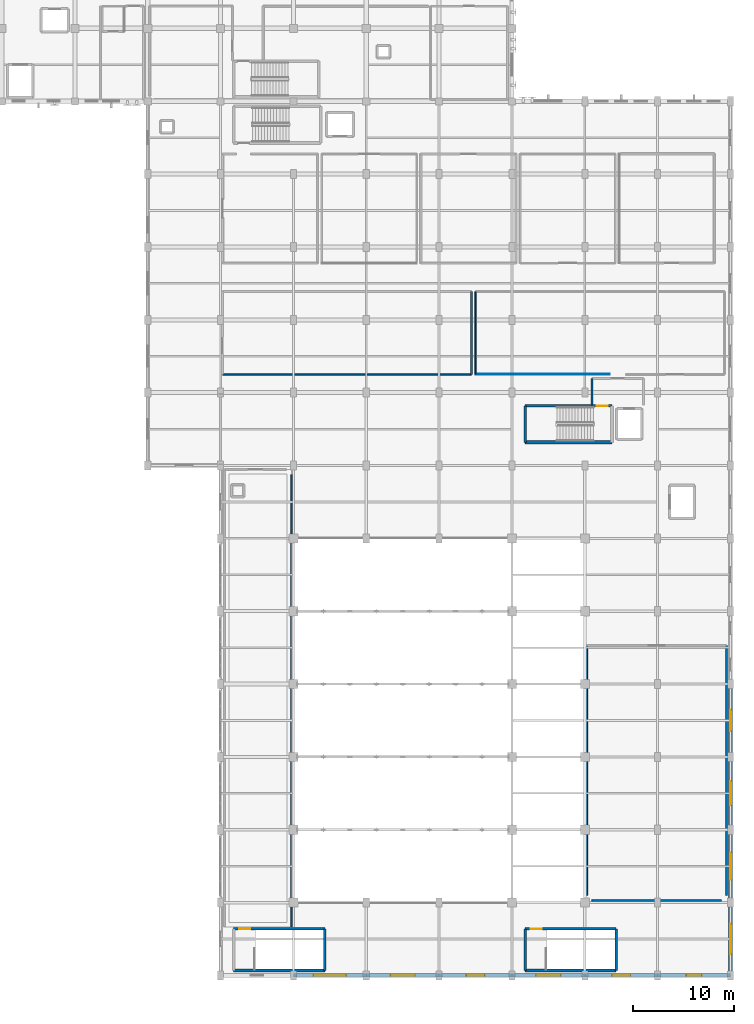
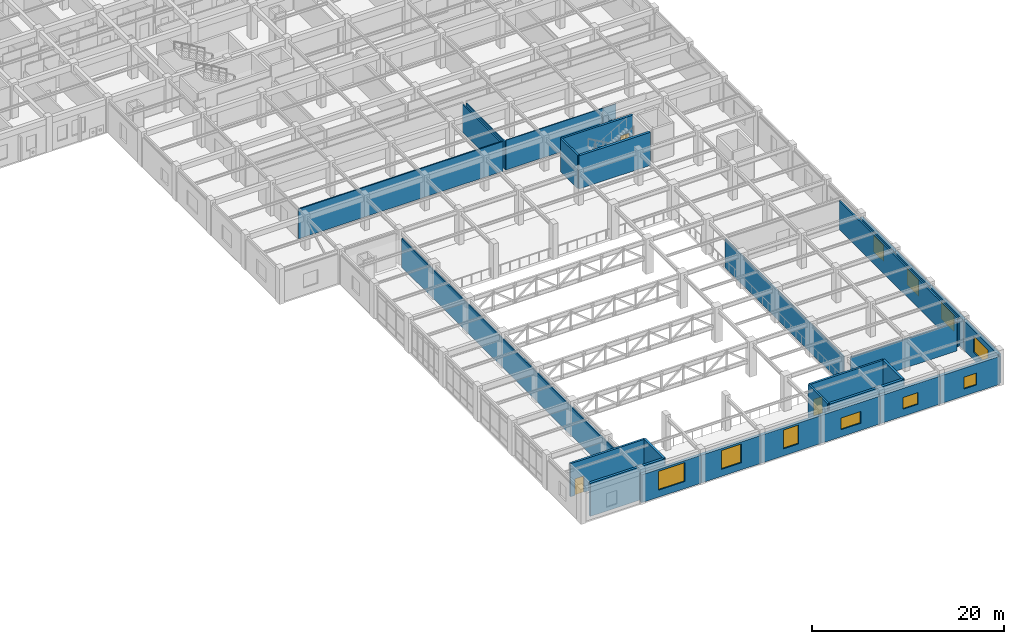
# One storey, part 85 of 106: 29 walls, 10 windows, 3 doors, 13 openings.
"""IFC4 building model written with IfcOpenShell, lengths in metres."""

import ifcopenshell
import ifcopenshell.guid

model = None  # the IFC model being written
_history = None  # IfcOwnerHistory: only IFC2X3 demands one
_inside = {}  # id of a spatial element -> (the spatial element, [elements in it])
_under = {}  # id of a project, library or spatial element -> (it, [spatial elements below it])
_declared = {}  # id of a project -> (the project, [libraries it declares])
_typed = {}  # id of a type object -> (the type object, [elements of that type])
_made_of = {}  # id of a material, layer set ... -> (it, [elements and type objects made of it])


def new_model(schema):
    """Start an empty IFC model of exactly this schema.

    Asked for "IFC4X3", IfcOpenShell would pick the latest addendum, in which some entities
    have other attributes; the version numbers below select the first issue.
    IFC2X3 requires an IfcOwnerHistory on every rooted entity: one is made here for all.
    """
    global model, _history
    if schema == "IFC4X3":
        model = ifcopenshell.file(schema_version=(4, 3, 0, 0))
    else:
        model = ifcopenshell.file(schema=schema)
    _inside.clear()
    _under.clear()
    _declared.clear()
    _typed.clear()
    _made_of.clear()
    _history = None
    if model.schema == "IFC2X3":
        org = make("IfcOrganization", Name="unknown")
        user = make(
            "IfcPersonAndOrganization",
            ThePerson=make("IfcPerson", FamilyName="unknown"),
            TheOrganization=org,
        )
        app = make(
            "IfcApplication",
            ApplicationDeveloper=org,
            Version="unknown",
            ApplicationFullName="unknown",
            ApplicationIdentifier="unknown",
        )
        _history = make(
            "IfcOwnerHistory",
            OwningUser=user,
            OwningApplication=app,
            ChangeAction="ADDED",
            CreationDate=0,
        )
    return model


def make(cls, **values):
    """One entity of the class cls with the attributes given. An attribute that is None is left unset."""
    return model.create_entity(
        cls, **{name: value for name, value in values.items() if value is not None}
    )


def rooted(cls, **values):
    """An entity with a GlobalId (a new one), such as an element, a storey or a relation."""
    return make(cls, GlobalId=ifcopenshell.guid.new(), OwnerHistory=_history, **values)


def si_unit(unit_type, name, prefix=None):
    """IfcSIUnit, for example si_unit("LENGTHUNIT", "METRE", prefix="MILLI")."""
    return make("IfcSIUnit", UnitType=unit_type, Prefix=prefix, Name=name)


def assignment(units):
    """IfcUnitAssignment: the units of a project."""
    return None if units is None else make("IfcUnitAssignment", Units=units)


def point(xyz):
    """IfcCartesianPoint."""
    return None if xyz is None else make("IfcCartesianPoint", Coordinates=xyz)


def direction(xyz):
    """IfcDirection."""
    return None if xyz is None else make("IfcDirection", DirectionRatios=xyz)


def frame(location, z_axis=None, x_axis=None):
    """IfcAxis2Placement3D, a coordinate frame: its origin and axes. An axis left out is left unset."""
    return make(
        "IfcAxis2Placement3D",
        Location=point(location),
        Axis=direction(z_axis),
        RefDirection=direction(x_axis),
    )


def frame_2d(location, x_axis=None):
    """IfcAxis2Placement2D, a coordinate frame in the plane: its origin and x axis."""
    return make(
        "IfcAxis2Placement2D", Location=point(location), RefDirection=direction(x_axis)
    )


def origin():
    """The frame at (0, 0, 0) with its axes left unset."""
    return frame((0.0, 0.0, 0.0))


def place(relative_to, where):
    """IfcLocalPlacement: puts the frame where relative to a parent placement (None: the world)."""
    return make(
        "IfcLocalPlacement", PlacementRelTo=relative_to, RelativePlacement=where
    )


def context(
    kind, dimensions, precision=None, world=None, true_north=None, identifier=None
):
    """IfcGeometricRepresentationContext, for example the 3D "Model" context."""
    return make(
        "IfcGeometricRepresentationContext",
        ContextIdentifier=identifier,
        ContextType=kind,
        CoordinateSpaceDimension=dimensions,
        Precision=precision,
        WorldCoordinateSystem=world,
        TrueNorth=true_north,
    )


def subcontext(parent, identifier, kind, view, scale=None):
    """IfcGeometricRepresentationSubContext, for example "Body" below "Model"."""
    return make(
        "IfcGeometricRepresentationSubContext",
        ContextIdentifier=identifier,
        ContextType=kind,
        ParentContext=parent,
        TargetScale=scale,
        TargetView=view,
    )


def project(units=None, contexts=None):
    """IfcProject with its units and contexts."""
    return rooted(
        "IfcProject",
        Name="project",
        RepresentationContexts=contexts,
        UnitsInContext=assignment(units),
    )


def spatial(cls, under=None, at=None, **own):
    """A site, building, storey or space (cls), placed at a placement, below another one or the project."""
    s = rooted(cls, ObjectPlacement=at, **own)
    if under is not None:
        _under.setdefault(under.id(), (under, []))[1].append(s)
    return s


def profile(cls, at=None, kind="AREA", **sizes):
    """A parametric profile (cls). Its sizes go by their IFC names, for example OverallWidth=200.0."""
    return make(cls, ProfileType=kind, Position=at, **sizes)


def rectangle(**sizes):
    """IfcRectangleProfileDef."""
    return profile("IfcRectangleProfileDef", **sizes)


def extrude(swept, where, along, depth):
    """IfcExtrudedAreaSolid: the profile swept, set in the frame where, extruded along a direction by depth."""
    return make(
        "IfcExtrudedAreaSolid",
        SweptArea=swept,
        Position=where,
        ExtrudedDirection=direction(along),
        Depth=depth,
    )


def shape(context_of_items, identifier, shape_type, items):
    """IfcShapeRepresentation: the items that make up one representation, for example the "Body"."""
    return make(
        "IfcShapeRepresentation",
        ContextOfItems=context_of_items,
        RepresentationIdentifier=identifier,
        RepresentationType=shape_type,
        Items=items,
    )


def material(Name=None, Category=None):
    """IfcMaterial."""
    return make("IfcMaterial", Name=Name, Category=Category)


def layer(
    of_material, thickness, ventilated=None, Name=None, Category=None, Priority=None
):
    """IfcMaterialLayer: one layer of a wall or slab, of a material (None: an air gap)."""
    return make(
        "IfcMaterialLayer",
        Material=of_material,
        LayerThickness=thickness,
        IsVentilated=ventilated,
        Name=Name,
        Category=Category,
        Priority=Priority,
    )


def layer_set(layers, Name=None):
    """IfcMaterialLayerSet."""
    return make("IfcMaterialLayerSet", MaterialLayers=layers, LayerSetName=Name)


def made_of(thing, what):
    """Note that an element or type object is made of a material, layer set ...; save() writes the relation."""
    if what is not None:
        _made_of.setdefault(what.id(), (what, []))[1].append(thing)
    return thing


def type_object(cls, material=None, **own):
    """A type object (cls), such as IfcWallType, which elements share."""
    return made_of(rooted(cls, **own), material)


def element(
    cls,
    number,
    at=None,
    inside=None,
    cuts=None,
    type_object=None,
    material=None,
    context=None,
    identifier="Body",
    shape_type=None,
    held_by="IfcProductDefinitionShape",
    body=None,
    shapes=None,
    **own,
):
    """One element of the class cls, such as IfcWall. Its Tag is "e" and its number.

    at: its placement. inside: the storey or other place that contains it. cuts: it is an
    opening in that element (IfcRelVoidsElement). A single representation is given by context,
    identifier, shape_type and body (its items); several are given by shapes. held_by: the class
    of the entity that holds the representations. save() writes the other relations.
    """
    e = rooted(cls, Tag="e%d" % number, ObjectPlacement=at, **own)
    if body is not None:
        shapes = [shape(context, identifier, shape_type, body)]
    if shapes is not None:
        e.Representation = make(held_by, Representations=shapes)
    if inside is not None:
        _inside.setdefault(inside.id(), (inside, []))[1].append(e)
    if cuts is not None:
        rooted(
            "IfcRelVoidsElement", RelatingBuildingElement=cuts, RelatedOpeningElement=e
        )
    if type_object is not None:
        _typed.setdefault(type_object.id(), (type_object, []))[1].append(e)
    return made_of(e, material)


def fill(opening, filler):
    """IfcRelFillsElement: the door or window that sits in an opening."""
    return rooted(
        "IfcRelFillsElement",
        RelatingOpeningElement=opening,
        RelatedBuildingElement=filler,
    )


def aggregate(whole, parts):
    """IfcRelAggregates: a whole, such as a stair, and the parts it consists of."""
    return rooted("IfcRelAggregates", RelatingObject=whole, RelatedObjects=parts)


def save(model, path):
    """Write the relations noted so far, then the file.

    IfcRelAggregates (storeys below a building ...), IfcRelContainedInSpatialStructure (elements
    in a storey), IfcRelDefinesByType, IfcRelAssociatesMaterial and IfcRelDeclares: one each for
    every whole, place, type object, material and project.
    """
    for whole, parts in _under.values():
        aggregate(whole, parts)
    for where, things in _inside.values():
        rooted(
            "IfcRelContainedInSpatialStructure",
            RelatedElements=things,
            RelatingStructure=where,
        )
    for kind, things in _typed.values():
        rooted("IfcRelDefinesByType", RelatedObjects=things, RelatingType=kind)
    for what, things in _made_of.values():
        rooted("IfcRelAssociatesMaterial", RelatedObjects=things, RelatingMaterial=what)
    for by, libraries in _declared.values():
        rooted("IfcRelDeclares", RelatingContext=by, RelatedDefinitions=libraries)
    model.write(path)


model = new_model("IFC4")

# Units and contexts
model_context = context("Model", 3, precision=1e-05, world=origin(), true_north=direction((0.0, 1.0)))
body_context = subcontext(model_context, "Body", "Model", "MODEL_VIEW")
ifc_project = project(units=[si_unit("LENGTHUNIT", "METRE"), si_unit("AREAUNIT", "SQUARE_METRE"), si_unit("VOLUMEUNIT", "CUBIC_METRE"), si_unit("PLANEANGLEUNIT", "RADIAN"), si_unit("MASSUNIT", "GRAM", prefix="KILO")], contexts=[model_context])

# Site, building, storey
site_placement = place(None, origin())
site = spatial("IfcSite", under=ifc_project, at=site_placement, CompositionType="ELEMENT")
building_placement = place(site_placement, origin())
building = spatial("IfcBuilding", under=site, at=building_placement, Name="Carrowvane Square Congress Hotel", CompositionType="ELEMENT")
storey_placement = place(building_placement, frame((0.0, 0.0, 10.5)))
storey = spatial("IfcBuildingStorey", under=building, at=storey_placement, Name="L02", CompositionType="ELEMENT", Elevation=10.5)

# Wall, opening, window
ifc_material_1 = material(Name="Portland limestone cladding", Category="masonry")
ifc_layer_1 = layer(ifc_material_1, 0.35009765625)
ifc_layer_set_1 = layer_set([ifc_layer_1], Name="Portland limestone cladding")
wall_type_1 = type_object("IfcWallType", Name="WL-EXT-LS350", PredefinedType="STANDARD", material=ifc_layer_set_1)
wall_1_placement = place(storey_placement, frame((184.39990234375, 34.199951171875, 0.0), z_axis=(0.0, 0.0, 1.0), x_axis=(0.0, -1.0, 0.0)))
wall_1 = element("IfcWall", 1, at=wall_1_placement, inside=storey, type_object=wall_type_1, Name="L02 exterior facade wall 296", PredefinedType="STANDARD", context=body_context, shape_type="SweptSolid", body=[
    extrude(rectangle(XDim=7.199951171875, YDim=0.35009765625, at=frame_2d((3.60009765625, 0.0))), origin(), (0.0, 0.0, 1.0), 3.7451171875),
])
opening_1_placement = place(wall_1_placement, frame((2.550048828125, 0.0, 0.89990234375)))
opening_1 = element("IfcOpeningElement", 2, at=opening_1_placement, cuts=wall_1, Name="Opening W-11", PredefinedType="OPENING", context=body_context, shape_type="SweptSolid", body=[
    extrude(rectangle(XDim=2.10009765625, YDim=2.10009765625, at=frame_2d((1.050048828125, 1.050048828125))), frame((0.0, 0.18505859375, 0.0), z_axis=(0.0, -1.0, 0.0), x_axis=(1.0, 0.0, 0.0)), (0.0, 0.0, 1.0), 0.3701171875),
])
ifc_material_2 = material(Name="Double-glazed low-E glass", Category="glass")
window_type_1 = type_object("IfcWindowType", Name="WIN-11", PartitioningType="SINGLE_PANEL", PredefinedType="WINDOW", material=ifc_material_2)
window_1_placement = place(opening_1_placement, origin())
window_1 = element("IfcWindow", 3, at=window_1_placement, inside=storey, type_object=window_type_1, Name="L02 facade window 113", OverallHeight=2.10009765625, OverallWidth=2.10009765625, PartitioningType="SINGLE_PANEL", PredefinedType="WINDOW", context=body_context, shape_type="SweptSolid", body=[
    extrude(rectangle(XDim=2.10009765625, YDim=2.10009765625, at=frame_2d((1.050048828125, 1.050048828125))), frame((0.0, 0.030029296875, 0.0), z_axis=(0.0, -1.0, 0.0), x_axis=(1.0, 0.0, 0.0)), (0.0, 0.0, 1.0), 0.06005859375),
])
fill(opening_1, window_1)

wall_2_placement = place(storey_placement, frame((184.39990234375, 27.0, 0.0), z_axis=(0.0, 0.0, 1.0), x_axis=(0.0, -1.0, 0.0)))
wall_2 = element("IfcWall", 4, at=wall_2_placement, inside=storey, type_object=wall_type_1, Name="L02 exterior facade wall 297", PredefinedType="STANDARD", context=body_context, shape_type="SweptSolid", body=[
    extrude(rectangle(XDim=7.199951171875, YDim=0.35009765625, at=frame_2d((3.60009765625, 0.0))), origin(), (0.0, 0.0, 1.0), 3.7451171875),
])
opening_2_placement = place(wall_2_placement, frame((2.39990234375, 0.0, 0.89990234375)))
opening_2 = element("IfcOpeningElement", 5, at=opening_2_placement, cuts=wall_2, Name="Opening W-12", PredefinedType="OPENING", context=body_context, shape_type="SweptSolid", body=[
    extrude(rectangle(XDim=2.39990234375, YDim=2.10009765625, at=frame_2d((1.199951171875, 1.050048828125))), frame((0.0, 0.18505859375, 0.0), z_axis=(0.0, -1.0, 0.0), x_axis=(1.0, 0.0, 0.0)), (0.0, 0.0, 1.0), 0.3701171875),
])
ifc_material_3 = material(Name="Double-glazed low-E glass", Category="glass")
window_type_2 = type_object("IfcWindowType", Name="WIN-12", PartitioningType="SINGLE_PANEL", PredefinedType="WINDOW", material=ifc_material_3)
window_2_placement = place(opening_2_placement, origin())
window_2 = element("IfcWindow", 6, at=window_2_placement, inside=storey, type_object=window_type_2, Name="L02 facade window 114", OverallHeight=2.10009765625, OverallWidth=2.39990234375, PartitioningType="SINGLE_PANEL", PredefinedType="WINDOW", context=body_context, shape_type="SweptSolid", body=[
    extrude(rectangle(XDim=2.39990234375, YDim=2.10009765625, at=frame_2d((1.199951171875, 1.050048828125))), frame((0.0, 0.030029296875, 0.0), z_axis=(0.0, -1.0, 0.0), x_axis=(1.0, 0.0, 0.0)), (0.0, 0.0, 1.0), 0.06005859375),
])
fill(opening_2, window_2)

wall_3_placement = place(storey_placement, frame((184.39990234375, 19.800048828125, 0.0), z_axis=(0.0, 0.0, 1.0), x_axis=(0.0, -1.0, 0.0)))
wall_3 = element("IfcWall", 7, at=wall_3_placement, inside=storey, type_object=wall_type_1, Name="L02 exterior facade wall 298", PredefinedType="STANDARD", context=body_context, shape_type="SweptSolid", body=[
    extrude(rectangle(XDim=7.199951171875, YDim=0.35009765625, at=frame_2d((3.60009765625, 0.0))), origin(), (0.0, 0.0, 1.0), 3.7451171875),
])
opening_3_placement = place(wall_3_placement, frame((2.25, 0.0, 0.89990234375)))
opening_3 = element("IfcOpeningElement", 8, at=opening_3_placement, cuts=wall_3, Name="Opening W-13", PredefinedType="OPENING", context=body_context, shape_type="SweptSolid", body=[
    extrude(rectangle(XDim=2.699951171875, YDim=2.10009765625, at=frame_2d((1.35009765625, 1.050048828125))), frame((0.0, 0.18505859375, 0.0), z_axis=(0.0, -1.0, 0.0), x_axis=(1.0, 0.0, 0.0)), (0.0, 0.0, 1.0), 0.3701171875),
])
ifc_material_4 = material(Name="Double-glazed low-E glass", Category="glass")
window_type_3 = type_object("IfcWindowType", Name="WIN-13", PartitioningType="SINGLE_PANEL", PredefinedType="WINDOW", material=ifc_material_4)
window_3_placement = place(opening_3_placement, origin())
window_3 = element("IfcWindow", 9, at=window_3_placement, inside=storey, type_object=window_type_3, Name="L02 facade window 115", OverallHeight=2.10009765625, OverallWidth=2.699951171875, PartitioningType="SINGLE_PANEL", PredefinedType="WINDOW", context=body_context, shape_type="SweptSolid", body=[
    extrude(rectangle(XDim=2.699951171875, YDim=2.10009765625, at=frame_2d((1.35009765625, 1.050048828125))), frame((0.0, 0.030029296875, 0.0), z_axis=(0.0, -1.0, 0.0), x_axis=(1.0, 0.0, 0.0)), (0.0, 0.0, 1.0), 0.06005859375),
])
fill(opening_3, window_3)

wall_4_placement = place(storey_placement, frame((184.39990234375, 12.60009765625, 0.0), z_axis=(0.0, 0.0, 1.0), x_axis=(0.0, -1.0, 0.0)))
wall_4 = element("IfcWall", 10, at=wall_4_placement, inside=storey, type_object=wall_type_1, Name="L02 exterior facade wall 299", PredefinedType="STANDARD", context=body_context, shape_type="SweptSolid", body=[
    extrude(rectangle(XDim=7.2001953125, YDim=0.35009765625, at=frame_2d((3.60009765625, 0.0))), origin(), (0.0, 0.0, 1.0), 3.7451171875),
])
opening_4_placement = place(wall_4_placement, frame((2.10009765625, 0.0, 0.89990234375)))
opening_4 = element("IfcOpeningElement", 11, at=opening_4_placement, cuts=wall_4, Name="Opening W-14", PredefinedType="OPENING", context=body_context, shape_type="SweptSolid", body=[
    extrude(rectangle(XDim=3.0, YDim=2.10009765625, at=frame_2d((1.5, 1.050048828125))), frame((0.0, 0.18505859375, 0.0), z_axis=(0.0, -1.0, 0.0), x_axis=(1.0, 0.0, 0.0)), (0.0, 0.0, 1.0), 0.3701171875),
])
ifc_material_5 = material(Name="Double-glazed low-E glass", Category="glass")
window_type_4 = type_object("IfcWindowType", Name="WIN-14", PartitioningType="SINGLE_PANEL", PredefinedType="WINDOW", material=ifc_material_5)
window_4_placement = place(opening_4_placement, origin())
window_4 = element("IfcWindow", 12, at=window_4_placement, inside=storey, type_object=window_type_4, Name="L02 facade window 116", OverallHeight=2.10009765625, OverallWidth=3.0, PartitioningType="SINGLE_PANEL", PredefinedType="WINDOW", context=body_context, shape_type="SweptSolid", body=[
    extrude(rectangle(XDim=3.0, YDim=2.10009765625, at=frame_2d((1.5, 1.050048828125))), frame((0.0, 0.030029296875, 0.0), z_axis=(0.0, -1.0, 0.0), x_axis=(1.0, 0.0, 0.0)), (0.0, 0.0, 1.0), 0.06005859375),
])
fill(opening_4, window_4)

wall_5_placement = place(storey_placement, frame((184.39990234375, 5.39990234375, 0.0), z_axis=(0.0, 0.0, 1.0), x_axis=(-1.0, 0.0, 0.0)))
wall_5 = element("IfcWall", 13, at=wall_5_placement, inside=storey, type_object=wall_type_1, Name="L02 exterior facade wall 300", PredefinedType="STANDARD", context=body_context, shape_type="SweptSolid", body=[
    extrude(rectangle(XDim=7.199951171875, YDim=0.35009765625, at=frame_2d((3.60009765625, 0.0))), origin(), (0.0, 0.0, 1.0), 3.554931640625),
])
opening_5_placement = place(wall_5_placement, frame((2.85009765625, 0.0, 0.89990234375)))
opening_5 = element("IfcOpeningElement", 14, at=opening_5_placement, cuts=wall_5, Name="Opening W-15", PredefinedType="OPENING", context=body_context, shape_type="SweptSolid", body=[
    extrude(rectangle(XDim=1.5, YDim=1.5, at=frame_2d((0.75, 0.75))), frame((0.0, 0.18505859375, 0.0), z_axis=(0.0, -1.0, 0.0), x_axis=(1.0, 0.0, 0.0)), (0.0, 0.0, 1.0), 0.3701171875),
])
ifc_material_6 = material(Name="Double-glazed low-E glass", Category="glass")
window_type_5 = type_object("IfcWindowType", Name="WIN-15", PartitioningType="SINGLE_PANEL", PredefinedType="WINDOW", material=ifc_material_6)
window_5_placement = place(opening_5_placement, origin())
window_5 = element("IfcWindow", 15, at=window_5_placement, inside=storey, type_object=window_type_5, Name="L02 facade window 117", OverallHeight=1.5, OverallWidth=1.5, PartitioningType="SINGLE_PANEL", PredefinedType="WINDOW", context=body_context, shape_type="SweptSolid", body=[
    extrude(rectangle(XDim=1.5, YDim=1.5, at=frame_2d((0.75, 0.75))), frame((0.0, 0.030029296875, 0.0), z_axis=(0.0, -1.0, 0.0), x_axis=(1.0, 0.0, 0.0)), (0.0, 0.0, 1.0), 0.06005859375),
])
fill(opening_5, window_5)

wall_6_placement = place(storey_placement, frame((177.199951171875, 5.39990234375, 0.0), z_axis=(0.0, 0.0, 1.0), x_axis=(-1.0, 0.0, 0.0)))
wall_6 = element("IfcWall", 16, at=wall_6_placement, inside=storey, type_object=wall_type_1, Name="L02 exterior facade wall 301", PredefinedType="STANDARD", context=body_context, shape_type="SweptSolid", body=[
    extrude(rectangle(XDim=7.199951171875, YDim=0.35009765625, at=frame_2d((3.60009765625, 0.0))), origin(), (0.0, 0.0, 1.0), 3.554931640625),
])
opening_6_placement = place(wall_6_placement, frame((2.699951171875, 0.0, 0.89990234375)))
opening_6 = element("IfcOpeningElement", 17, at=opening_6_placement, cuts=wall_6, Name="Opening W-16", PredefinedType="OPENING", context=body_context, shape_type="SweptSolid", body=[
    extrude(rectangle(XDim=1.800048828125, YDim=1.5, at=frame_2d((0.89990234375, 0.75))), frame((0.0, 0.18505859375, 0.0), z_axis=(0.0, -1.0, 0.0), x_axis=(1.0, 0.0, 0.0)), (0.0, 0.0, 1.0), 0.3701171875),
])
ifc_material_7 = material(Name="Double-glazed low-E glass", Category="glass")
window_type_6 = type_object("IfcWindowType", Name="WIN-16", PartitioningType="SINGLE_PANEL", PredefinedType="WINDOW", material=ifc_material_7)
window_6_placement = place(opening_6_placement, origin())
window_6 = element("IfcWindow", 18, at=window_6_placement, inside=storey, type_object=window_type_6, Name="L02 facade window 118", OverallHeight=1.5, OverallWidth=1.800048828125, PartitioningType="SINGLE_PANEL", PredefinedType="WINDOW", context=body_context, shape_type="SweptSolid", body=[
    extrude(rectangle(XDim=1.800048828125, YDim=1.5, at=frame_2d((0.89990234375, 0.75))), frame((0.0, 0.030029296875, 0.0), z_axis=(0.0, -1.0, 0.0), x_axis=(1.0, 0.0, 0.0)), (0.0, 0.0, 1.0), 0.06005859375),
])
fill(opening_6, window_6)

wall_7_placement = place(storey_placement, frame((170.0, 5.39990234375, 0.0), z_axis=(0.0, 0.0, 1.0), x_axis=(-1.0, 0.0, 0.0)))
wall_7 = element("IfcWall", 19, at=wall_7_placement, inside=storey, type_object=wall_type_1, Name="L02 exterior facade wall 302", PredefinedType="STANDARD", context=body_context, shape_type="SweptSolid", body=[
    extrude(rectangle(XDim=7.199951171875, YDim=0.35009765625, at=frame_2d((3.60009765625, 0.0))), origin(), (0.0, 0.0, 1.0), 3.554931640625),
])
opening_7_placement = place(wall_7_placement, frame((2.39990234375, 0.0, 0.89990234375)))
opening_7 = element("IfcOpeningElement", 20, at=opening_7_placement, cuts=wall_7, Name="Opening W-17", PredefinedType="OPENING", context=body_context, shape_type="SweptSolid", body=[
    extrude(rectangle(XDim=2.39990234375, YDim=1.5, at=frame_2d((1.199951171875, 0.75))), frame((0.0, 0.18505859375, 0.0), z_axis=(0.0, -1.0, 0.0), x_axis=(1.0, 0.0, 0.0)), (0.0, 0.0, 1.0), 0.3701171875),
])
ifc_material_8 = material(Name="Double-glazed low-E glass", Category="glass")
window_type_7 = type_object("IfcWindowType", Name="WIN-17", PartitioningType="SINGLE_PANEL", PredefinedType="WINDOW", material=ifc_material_8)
window_7_placement = place(opening_7_placement, origin())
window_7 = element("IfcWindow", 21, at=window_7_placement, inside=storey, type_object=window_type_7, Name="L02 facade window 119", OverallHeight=1.5, OverallWidth=2.39990234375, PartitioningType="SINGLE_PANEL", PredefinedType="WINDOW", context=body_context, shape_type="SweptSolid", body=[
    extrude(rectangle(XDim=2.39990234375, YDim=1.5, at=frame_2d((1.199951171875, 0.75))), frame((0.0, 0.030029296875, 0.0), z_axis=(0.0, -1.0, 0.0), x_axis=(1.0, 0.0, 0.0)), (0.0, 0.0, 1.0), 0.06005859375),
])
fill(opening_7, window_7)

wall_8_placement = place(storey_placement, frame((162.800048828125, 5.39990234375, 0.0), z_axis=(0.0, 0.0, 1.0), x_axis=(-1.0, 0.0, 0.0)))
wall_8 = element("IfcWall", 22, at=wall_8_placement, inside=storey, type_object=wall_type_1, Name="L02 exterior facade wall 303", PredefinedType="STANDARD", context=body_context, shape_type="SweptSolid", body=[
    extrude(rectangle(XDim=7.199951171875, YDim=0.35009765625, at=frame_2d((3.60009765625, 0.0))), origin(), (0.0, 0.0, 1.0), 3.554931640625),
])
opening_8_placement = place(wall_8_placement, frame((2.699951171875, 0.0, 0.89990234375)))
opening_8 = element("IfcOpeningElement", 23, at=opening_8_placement, cuts=wall_8, Name="Opening W-18", PredefinedType="OPENING", context=body_context, shape_type="SweptSolid", body=[
    extrude(rectangle(XDim=1.800048828125, YDim=2.39990234375, at=frame_2d((0.89990234375, 1.199951171875))), frame((0.0, 0.18505859375, 0.0), z_axis=(0.0, -1.0, 0.0), x_axis=(1.0, 0.0, 0.0)), (0.0, 0.0, 1.0), 0.3701171875),
])
ifc_material_9 = material(Name="Double-glazed low-E glass", Category="glass")
window_type_8 = type_object("IfcWindowType", Name="WIN-18", PartitioningType="SINGLE_PANEL", PredefinedType="WINDOW", material=ifc_material_9)
window_8_placement = place(opening_8_placement, origin())
window_8 = element("IfcWindow", 24, at=window_8_placement, inside=storey, type_object=window_type_8, Name="L02 facade window 120", OverallHeight=2.39990234375, OverallWidth=1.800048828125, PartitioningType="SINGLE_PANEL", PredefinedType="WINDOW", context=body_context, shape_type="SweptSolid", body=[
    extrude(rectangle(XDim=1.800048828125, YDim=2.39990234375, at=frame_2d((0.89990234375, 1.199951171875))), frame((0.0, 0.030029296875, 0.0), z_axis=(0.0, -1.0, 0.0), x_axis=(1.0, 0.0, 0.0)), (0.0, 0.0, 1.0), 0.06005859375),
])
fill(opening_8, window_8)

wall_9_placement = place(storey_placement, frame((155.60009765625, 5.39990234375, 0.0), z_axis=(0.0, 0.0, 1.0), x_axis=(-1.0, 0.0, 0.0)))
wall_9 = element("IfcWall", 25, at=wall_9_placement, inside=storey, type_object=wall_type_1, Name="L02 exterior facade wall 304", PredefinedType="STANDARD", context=body_context, shape_type="SweptSolid", body=[
    extrude(rectangle(XDim=7.2001953125, YDim=0.35009765625, at=frame_2d((3.60009765625, 0.0))), origin(), (0.0, 0.0, 1.0), 3.554931640625),
])
opening_9_placement = place(wall_9_placement, frame((2.39990234375, 0.0, 0.89990234375)))
opening_9 = element("IfcOpeningElement", 26, at=opening_9_placement, cuts=wall_9, Name="Opening W-19", PredefinedType="OPENING", context=body_context, shape_type="SweptSolid", body=[
    extrude(rectangle(XDim=2.39990234375, YDim=2.39990234375, at=frame_2d((1.199951171875, 1.199951171875))), frame((0.0, 0.18505859375, 0.0), z_axis=(0.0, -1.0, 0.0), x_axis=(1.0, 0.0, 0.0)), (0.0, 0.0, 1.0), 0.3701171875),
])
ifc_material_10 = material(Name="Double-glazed low-E glass", Category="glass")
window_type_9 = type_object("IfcWindowType", Name="WIN-19", PartitioningType="SINGLE_PANEL", PredefinedType="WINDOW", material=ifc_material_10)
window_9_placement = place(opening_9_placement, origin())
window_9 = element("IfcWindow", 27, at=window_9_placement, inside=storey, type_object=window_type_9, Name="L02 facade window 121", OverallHeight=2.39990234375, OverallWidth=2.39990234375, PartitioningType="SINGLE_PANEL", PredefinedType="WINDOW", context=body_context, shape_type="SweptSolid", body=[
    extrude(rectangle(XDim=2.39990234375, YDim=2.39990234375, at=frame_2d((1.199951171875, 1.199951171875))), frame((0.0, 0.030029296875, 0.0), z_axis=(0.0, -1.0, 0.0), x_axis=(1.0, 0.0, 0.0)), (0.0, 0.0, 1.0), 0.06005859375),
])
fill(opening_9, window_9)

wall_10_placement = place(storey_placement, frame((148.39990234375, 5.39990234375, 0.0), z_axis=(0.0, 0.0, 1.0), x_axis=(-1.0, 0.0, 0.0)))
wall_10 = element("IfcWall", 28, at=wall_10_placement, inside=storey, type_object=wall_type_1, Name="L02 exterior facade wall 305", PredefinedType="STANDARD", context=body_context, shape_type="SweptSolid", body=[
    extrude(rectangle(XDim=7.199951171875, YDim=0.35009765625, at=frame_2d((3.60009765625, 0.0))), origin(), (0.0, 0.0, 1.0), 3.554931640625),
])
opening_10_placement = place(wall_10_placement, frame((2.0, 0.0, 0.89990234375)))
opening_10 = element("IfcOpeningElement", 29, at=opening_10_placement, cuts=wall_10, Name="Opening W-20", PredefinedType="OPENING", context=body_context, shape_type="SweptSolid", body=[
    extrude(rectangle(XDim=3.199951171875, YDim=2.39990234375, at=frame_2d((1.60009765625, 1.199951171875))), frame((0.0, 0.18505859375, 0.0), z_axis=(0.0, -1.0, 0.0), x_axis=(1.0, 0.0, 0.0)), (0.0, 0.0, 1.0), 0.3701171875),
])
ifc_material_11 = material(Name="Double-glazed low-E glass", Category="glass")
window_type_10 = type_object("IfcWindowType", Name="WIN-20", PartitioningType="SINGLE_PANEL", PredefinedType="WINDOW", material=ifc_material_11)
window_10_placement = place(opening_10_placement, origin())
window_10 = element("IfcWindow", 30, at=window_10_placement, inside=storey, type_object=window_type_10, Name="L02 facade window 122", OverallHeight=2.39990234375, OverallWidth=3.199951171875, PartitioningType="SINGLE_PANEL", PredefinedType="WINDOW", context=body_context, shape_type="SweptSolid", body=[
    extrude(rectangle(XDim=3.199951171875, YDim=2.39990234375, at=frame_2d((1.60009765625, 1.199951171875))), frame((0.0, 0.030029296875, 0.0), z_axis=(0.0, -1.0, 0.0), x_axis=(1.0, 0.0, 0.0)), (0.0, 0.0, 1.0), 0.06005859375),
])
fill(opening_10, window_10)

# Walls
ifc_material_12 = material(Name="Acoustic gypsum board", Category="gypsum")
ifc_layer_2 = layer(ifc_material_12, 0.155029296875)
ifc_layer_set_2 = layer_set([ifc_layer_2], Name="Acoustic gypsum board")
wall_type_2 = type_object("IfcWallType", Name="WL-FIR-155", PredefinedType="PARTITIONING", material=ifc_layer_set_2)
wall_11_placement = place(storey_placement, frame((158.800048828125, 73.0, 0.0), z_axis=(0.0, 0.0, 1.0), x_axis=(0.0, -1.0, 0.0)))
element("IfcWall", 31, at=wall_11_placement, inside=storey, type_object=wall_type_2, Name="L02 Sub-Plenary Lecture Hall A partition", PredefinedType="PARTITIONING", context=body_context, shape_type="SweptSolid", body=[
    extrude(rectangle(XDim=8.199951171875, YDim=0.155029296875, at=frame_2d((4.10009765625, 0.0))), origin(), (0.0, 0.0, 1.0), 3.554931640625),
])
ifc_material_13 = material(Name="Acoustic gypsum board", Category="gypsum")
ifc_layer_3 = layer(ifc_material_13, 0.169921875)
ifc_layer_set_3 = layer_set([ifc_layer_3], Name="Acoustic gypsum board")
wall_type_3 = type_object("IfcWallType", Name="WL-FIR-170", PredefinedType="PARTITIONING", material=ifc_layer_set_3)
wall_12_placement = place(storey_placement, frame((183.489990234375, 12.800048828125, 0.0), z_axis=(0.0, 0.0, 1.0), x_axis=(-1.0, 0.0, 0.0)))
element("IfcWall", 32, at=wall_12_placement, inside=storey, type_object=wall_type_3, Name="L02 Ballroom Dimmer and Audio Rack Room partition", PredefinedType="PARTITIONING", context=body_context, shape_type="SweptSolid", body=[
    extrude(rectangle(XDim=12.780029296875, YDim=0.169921875, at=frame_2d((6.39013671875, 0.0))), origin(), (0.0, 0.0, 1.0), 3.668212890625),
])
ifc_material_14 = material(Name="Acoustic gypsum board", Category="gypsum")
ifc_layer_4 = layer(ifc_material_14, 0.18505859375)
ifc_layer_set_4 = layer_set([ifc_layer_4], Name="Acoustic gypsum board")
wall_type_4 = type_object("IfcWallType", Name="WL-FIR-185", PredefinedType="PARTITIONING", material=ifc_layer_set_4)
wall_13_placement = place(storey_placement, frame((184.0, 38.0, 0.0), z_axis=(0.0, 0.0, 1.0), x_axis=(0.0, -1.0, 0.0)))
element("IfcWall", 33, at=wall_13_placement, inside=storey, type_object=wall_type_4, Name="L02 Ballroom Dimmer and Audio Rack Room partition", PredefinedType="PARTITIONING", context=body_context, shape_type="SweptSolid", body=[
    extrude(rectangle(XDim=24.68994140625, YDim=0.18505859375, at=frame_2d((12.344970703125, 0.0))), origin(), (0.0, 0.0, 1.0), 3.668212890625),
])
ifc_material_15 = material(Name="Acoustic gypsum board", Category="gypsum")
ifc_layer_5 = layer(ifc_material_15, 0.205078125)
ifc_layer_set_5 = layer_set([ifc_layer_5], Name="Acoustic gypsum board")
wall_type_5 = type_object("IfcWallType", Name="WL-FIR-205", PredefinedType="PARTITIONING", material=ifc_layer_set_5)
wall_14_placement = place(storey_placement, frame((170.699951171875, 64.39990234375, 0.0), z_axis=(0.0, 0.0, 1.0), x_axis=(0.0, -1.0, 0.0)))
element("IfcWall", 34, at=wall_14_placement, inside=storey, type_object=wall_type_5, Name="L02 Firefighting Lobby C4 wall west", PredefinedType="PARTITIONING", context=body_context, shape_type="SweptSolid", body=[
    extrude(rectangle(XDim=2.599853515625, YDim=0.205078125, at=frame_2d((1.2998046875, 0.0))), origin(), (0.0, 0.0, 1.0), 3.554931640625),
])
ifc_material_16 = material(Name="Acoustic gypsum board", Category="gypsum")
ifc_layer_6 = layer(ifc_material_16, 0.097900390625)
ifc_layer_set_6 = layer_set([ifc_layer_6], Name="Acoustic gypsum board")
wall_type_6 = type_object("IfcWallType", Name="WL-PRT-098", PredefinedType="PARTITIONING", material=ifc_layer_set_6)
wall_15_placement = place(storey_placement, frame((172.469970703125, 64.800048828125, 0.0), z_axis=(0.0, 0.0, 1.0), x_axis=(-1.0, 0.0, 0.0)))
element("IfcWall", 35, at=wall_15_placement, inside=storey, type_object=wall_type_6, Name="L02 Sub-Plenary Lecture Hall B partition", PredefinedType="PARTITIONING", context=body_context, shape_type="SweptSolid", body=[
    extrude(rectangle(XDim=13.27001953125, YDim=0.097900390625, at=frame_2d((6.635009765625, 0.0))), origin(), (0.0, 0.0, 1.0), 3.795654296875),
])
ifc_material_17 = material(Name="Acoustic gypsum board", Category="gypsum")
ifc_layer_7 = layer(ifc_material_17, 0.137939453125)
ifc_layer_set_7 = layer_set([ifc_layer_7], Name="Acoustic gypsum board")
wall_type_7 = type_object("IfcWallType", Name="WL-PRT-138", PredefinedType="PARTITIONING", material=ifc_layer_set_7)
wall_16_placement = place(storey_placement, frame((141.0, 54.889892578125, 0.0), z_axis=(0.0, 0.0, 1.0), x_axis=(0.0, -1.0, 0.0)))
element("IfcWall", 36, at=wall_16_placement, inside=storey, type_object=wall_type_7, Name="L02 Ballroom Upper Mezzanine Gallery partition", PredefinedType="PARTITIONING", context=body_context, shape_type="SweptSolid", body=[
    extrude(rectangle(XDim=44.68994140625, YDim=0.137939453125, at=frame_2d((22.344970703125, 0.0))), origin(), (0.0, 0.0, 1.0), 3.668212890625),
])
wall_17_placement = place(storey_placement, frame((159.199951171875, 64.800048828125, 0.0), z_axis=(0.0, 0.0, 1.0), x_axis=(0.0, 1.0, 0.0)))
element("IfcWall", 37, at=wall_17_placement, inside=storey, type_object=wall_type_7, Name="L02 Sub-Plenary Lecture Hall B partition", PredefinedType="PARTITIONING", context=body_context, shape_type="SweptSolid", body=[
    extrude(rectangle(XDim=8.199951171875, YDim=0.137939453125, at=frame_2d((4.10009765625, 0.0))), origin(), (0.0, 0.0, 1.0), 3.554931640625),
])
ifc_material_18 = material(Name="Acoustic gypsum board", Category="gypsum")
ifc_layer_8 = layer(ifc_material_18, 0.14794921875)
ifc_layer_set_8 = layer_set([ifc_layer_8], Name="Acoustic gypsum board")
wall_type_8 = type_object("IfcWallType", Name="WL-PRT-148", PredefinedType="PARTITIONING", material=ifc_layer_set_8)
wall_18_placement = place(storey_placement, frame((170.199951171875, 13.31005859375, 0.0), z_axis=(0.0, 0.0, 1.0), x_axis=(0.0, 1.0, 0.0)))
element("IfcWall", 38, at=wall_18_placement, inside=storey, type_object=wall_type_8, Name="L02 Ballroom Dimmer and Audio Rack Room partition", PredefinedType="PARTITIONING", context=body_context, shape_type="SweptSolid", body=[
    extrude(rectangle(XDim=24.68994140625, YDim=0.14794921875, at=frame_2d((12.344970703125, 0.0))), origin(), (0.0, 0.0, 1.0), 3.668212890625),
])
wall_19_placement = place(storey_placement, frame((158.800048828125, 64.800048828125, 0.0), z_axis=(0.0, 0.0, 1.0), x_axis=(-1.0, 0.0, 0.0)))
element("IfcWall", 39, at=wall_19_placement, inside=storey, type_object=wall_type_8, Name="L02 Sub-Plenary Lecture Hall A partition", PredefinedType="PARTITIONING", context=body_context, shape_type="SweptSolid", body=[
    extrude(rectangle(XDim=24.60009765625, YDim=0.14794921875, at=frame_2d((12.300048828125, 0.0))), origin(), (0.0, 0.0, 1.0), 3.795654296875),
])
ifc_material_19 = material(Name="Concrete C40/50", Category="concrete")
ifc_layer_9 = layer(ifc_material_19, 0.22509765625)
ifc_layer_set_9 = layer_set([ifc_layer_9], Name="Concrete C40/50")
wall_type_9 = type_object("IfcWallType", Name="WL-SHR-225", PredefinedType="SHEAR", material=ifc_layer_set_9)
wall_20_placement = place(storey_placement, frame((164.10009765625, 61.699951171875, 0.0), z_axis=(0.0, 0.0, 1.0), x_axis=(0.0, -1.0, 0.0)))
element("IfcWall", 40, at=wall_20_placement, inside=storey, type_object=wall_type_9, Name="L02 ST4 core wall west", PredefinedType="SHEAR", context=body_context, shape_type="SweptSolid", body=[
    extrude(rectangle(XDim=3.599853515625, YDim=0.22509765625, at=frame_2d((1.7998046875, 0.0))), origin(), (0.0, 0.0, 1.0), 4.219970703125),
])
wall_21_placement = place(storey_placement, frame((164.10009765625, 10.0, 0.0), z_axis=(0.0, 0.0, 1.0), x_axis=(0.0, -1.0, 0.0)))
element("IfcWall", 41, at=wall_21_placement, inside=storey, type_object=wall_type_9, Name="L02 ST11 core wall west", PredefinedType="SHEAR", context=body_context, shape_type="SweptSolid", body=[
    extrude(rectangle(XDim=4.10009765625, YDim=0.22509765625, at=frame_2d((2.050048828125, 0.0))), origin(), (0.0, 0.0, 1.0), 4.219970703125),
])

# Wall, opening, door
ifc_material_20 = material(Name="Concrete C40/50", Category="concrete")
ifc_layer_10 = layer(ifc_material_20, 0.25)
ifc_layer_set_10 = layer_set([ifc_layer_10], Name="Concrete C40/50")
wall_type_10 = type_object("IfcWallType", Name="WL-SHR-250", PredefinedType="SHEAR", material=ifc_layer_set_10)
wall_22_placement = place(storey_placement, frame((172.699951171875, 61.699951171875, 0.0), z_axis=(0.0, 0.0, 1.0), x_axis=(-1.0, 0.0, 0.0)))
wall_22 = element("IfcWall", 42, at=wall_22_placement, inside=storey, type_object=wall_type_10, Name="L02 ST4 core wall north", PredefinedType="SHEAR", context=body_context, shape_type="SweptSolid", body=[
    extrude(rectangle(XDim=8.599853515625, YDim=0.25, at=frame_2d((4.2998046875, 0.0))), origin(), (0.0, 0.0, 1.0), 4.219970703125),
])
opening_11_placement = place(wall_22_placement, frame((0.425048828125, 0.0, 0.0)))
opening_11 = element("IfcOpeningElement", 43, at=opening_11_placement, cuts=wall_22, Name="Opening FD-01", PredefinedType="OPENING", context=body_context, shape_type="SweptSolid", body=[
    extrude(rectangle(XDim=1.10009765625, YDim=2.10009765625, at=frame_2d((0.550048828125, 1.050048828125))), frame((0.0, 0.135009765625, 0.0), z_axis=(0.0, -1.0, 0.0), x_axis=(1.0, 0.0, 0.0)), (0.0, 0.0, 1.0), 0.27001953125),
])
ifc_material_21 = material(Name="European oak timber", Category="wood")
door_type = type_object("IfcDoorType", Name="DR-FD60-1100x2100", OperationType="NOTDEFINED", PredefinedType="DOOR", material=ifc_material_21)
door_1_placement = place(opening_11_placement, origin())
door_1 = element("IfcDoor", 44, at=door_1_placement, inside=storey, type_object=door_type, Name="L02 ST4 fire door", OperationType="SINGLE_SWING_LEFT", OverallHeight=2.10009765625, OverallWidth=1.10009765625, PredefinedType="DOOR", context=body_context, shape_type="SweptSolid", body=[
    extrude(rectangle(XDim=1.10009765625, YDim=2.10009765625, at=frame_2d((0.550048828125, 1.050048828125))), frame((0.0, 0.02490234375, 0.0), z_axis=(0.0, -1.0, 0.0), x_axis=(1.0, 0.0, 0.0)), (0.0, 0.0, 1.0), 0.050048828125),
])
fill(opening_11, door_1)

wall_23_placement = place(storey_placement, frame((144.300048828125, 10.0, 0.0), z_axis=(0.0, 0.0, 1.0), x_axis=(-1.0, 0.0, 0.0)))
wall_23 = element("IfcWall", 45, at=wall_23_placement, inside=storey, type_object=wall_type_10, Name="L02 ST10 core wall north", PredefinedType="SHEAR", context=body_context, shape_type="SweptSolid", body=[
    extrude(rectangle(XDim=9.0, YDim=0.25, at=frame_2d((4.5, 0.0))), origin(), (0.0, 0.0, 1.0), 4.219970703125),
])
opening_12_placement = place(wall_23_placement, frame((7.35009765625, 0.0, 0.0)))
opening_12 = element("IfcOpeningElement", 46, at=opening_12_placement, cuts=wall_23, Name="Opening FD-01", PredefinedType="OPENING", context=body_context, shape_type="SweptSolid", body=[
    extrude(rectangle(XDim=1.10009765625, YDim=2.10009765625, at=frame_2d((0.550048828125, 1.050048828125))), frame((0.0, 0.135009765625, 0.0), z_axis=(0.0, -1.0, 0.0), x_axis=(1.0, 0.0, 0.0)), (0.0, 0.0, 1.0), 0.27001953125),
])
door_2_placement = place(opening_12_placement, origin())
door_2 = element("IfcDoor", 47, at=door_2_placement, inside=storey, type_object=door_type, Name="L02 ST10 fire door", OperationType="SINGLE_SWING_RIGHT", OverallHeight=2.10009765625, OverallWidth=1.10009765625, PredefinedType="DOOR", context=body_context, shape_type="SweptSolid", body=[
    extrude(rectangle(XDim=1.10009765625, YDim=2.10009765625, at=frame_2d((0.550048828125, 1.050048828125))), frame((0.0, 0.02490234375, 0.0), z_axis=(0.0, -1.0, 0.0), x_axis=(1.0, 0.0, 0.0)), (0.0, 0.0, 1.0), 0.050048828125),
])
fill(opening_12, door_2)

wall_24_placement = place(storey_placement, frame((173.10009765625, 10.0, 0.0), z_axis=(0.0, 0.0, 1.0), x_axis=(-1.0, 0.0, 0.0)))
wall_24 = element("IfcWall", 48, at=wall_24_placement, inside=storey, type_object=wall_type_10, Name="L02 ST11 core wall north", PredefinedType="SHEAR", context=body_context, shape_type="SweptSolid", body=[
    extrude(rectangle(XDim=9.0, YDim=0.25, at=frame_2d((4.5, 0.0))), origin(), (0.0, 0.0, 1.0), 4.219970703125),
])
opening_13_placement = place(wall_24_placement, frame((7.35009765625, 0.0, 0.0)))
opening_13 = element("IfcOpeningElement", 49, at=opening_13_placement, cuts=wall_24, Name="Opening FD-01", PredefinedType="OPENING", context=body_context, shape_type="SweptSolid", body=[
    extrude(rectangle(XDim=1.10009765625, YDim=2.10009765625, at=frame_2d((0.550048828125, 1.050048828125))), frame((0.0, 0.135009765625, 0.0), z_axis=(0.0, -1.0, 0.0), x_axis=(1.0, 0.0, 0.0)), (0.0, 0.0, 1.0), 0.27001953125),
])
door_3_placement = place(opening_13_placement, origin())
door_3 = element("IfcDoor", 50, at=door_3_placement, inside=storey, type_object=door_type, Name="L02 ST11 fire door", OperationType="SINGLE_SWING_LEFT", OverallHeight=2.10009765625, OverallWidth=1.10009765625, PredefinedType="DOOR", context=body_context, shape_type="SweptSolid", body=[
    extrude(rectangle(XDim=1.10009765625, YDim=2.10009765625, at=frame_2d((0.550048828125, 1.050048828125))), frame((0.0, 0.02490234375, 0.0), z_axis=(0.0, -1.0, 0.0), x_axis=(1.0, 0.0, 0.0)), (0.0, 0.0, 1.0), 0.050048828125),
])
fill(opening_13, door_3)

# Walls
ifc_material_22 = material(Name="Concrete C40/50", Category="concrete")
ifc_layer_11 = layer(ifc_material_22, 0.27490234375)
ifc_layer_set_11 = layer_set([ifc_layer_11], Name="Concrete C40/50")
wall_type_11 = type_object("IfcWallType", Name="WL-SHR-275", PredefinedType="SHEAR", material=ifc_layer_set_11)
for number, where, z_axis, x_axis, name in (
    (51, (144.300048828125, 5.89990234375, 0.0), (0.0, 0.0, 1.0), (0.0, 1.0, 0.0), "L02 ST10 core wall east"),
    (52, (173.10009765625, 5.89990234375, 0.0), (0.0, 0.0, 1.0), (0.0, 1.0, 0.0), "L02 ST11 core wall east"),
):
    element("IfcWall", number, at=place(storey_placement, frame(where, z_axis=z_axis, x_axis=x_axis)), inside=storey, type_object=wall_type_11, Name=name, PredefinedType="SHEAR", context=body_context, shape_type="SweptSolid", body=[
        extrude(rectangle(XDim=4.10009765625, YDim=0.27490234375, at=frame_2d((2.050048828125, 0.0))), origin(), (0.0, 0.0, 1.0), 4.219970703125),
    ])
ifc_material_23 = material(Name="Concrete C40/50", Category="concrete")
ifc_layer_12 = layer(ifc_material_23, 0.300048828125)
ifc_layer_set_12 = layer_set([ifc_layer_12], Name="Concrete C40/50")
wall_type_12 = type_object("IfcWallType", Name="WL-SHR-300", PredefinedType="SHEAR", material=ifc_layer_set_12)
wall_25_placement = place(storey_placement, frame((164.10009765625, 58.10009765625, 0.0), z_axis=(0.0, 0.0, 1.0), x_axis=(1.0, 0.0, 0.0)))
element("IfcWall", 53, at=wall_25_placement, inside=storey, type_object=wall_type_12, Name="L02 ST4 core wall south", PredefinedType="SHEAR", context=body_context, shape_type="SweptSolid", body=[
    extrude(rectangle(XDim=8.599853515625, YDim=0.300048828125, at=frame_2d((4.2998046875, 0.0))), origin(), (0.0, 0.0, 1.0), 4.219970703125),
])
for number, where, z_axis, x_axis, name in (
    (54, (135.300048828125, 5.89990234375, 0.0), (0.0, 0.0, 1.0), (1.0, 0.0, 0.0), "L02 ST10 core wall south"),
    (55, (164.10009765625, 5.89990234375, 0.0), (0.0, 0.0, 1.0), (1.0, 0.0, 0.0), "L02 ST11 core wall south"),
):
    element("IfcWall", number, at=place(storey_placement, frame(where, z_axis=z_axis, x_axis=x_axis)), inside=storey, type_object=wall_type_12, Name=name, PredefinedType="SHEAR", context=body_context, shape_type="SweptSolid", body=[
        extrude(rectangle(XDim=9.0, YDim=0.300048828125, at=frame_2d((4.5, 0.0))), origin(), (0.0, 0.0, 1.0), 4.219970703125),
    ])

save(model, "model.ifc")
